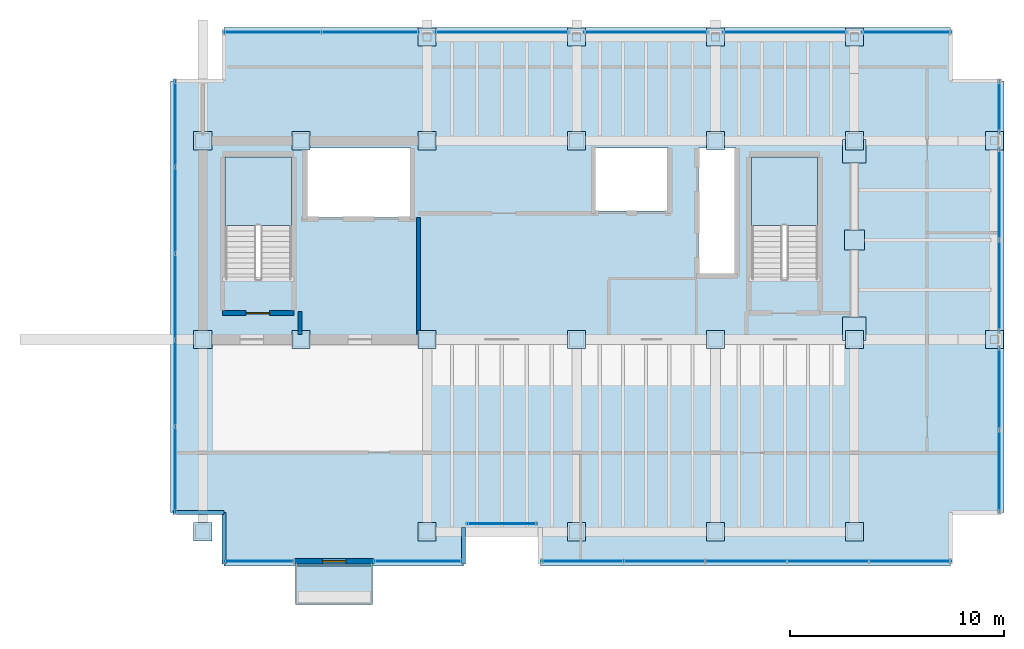
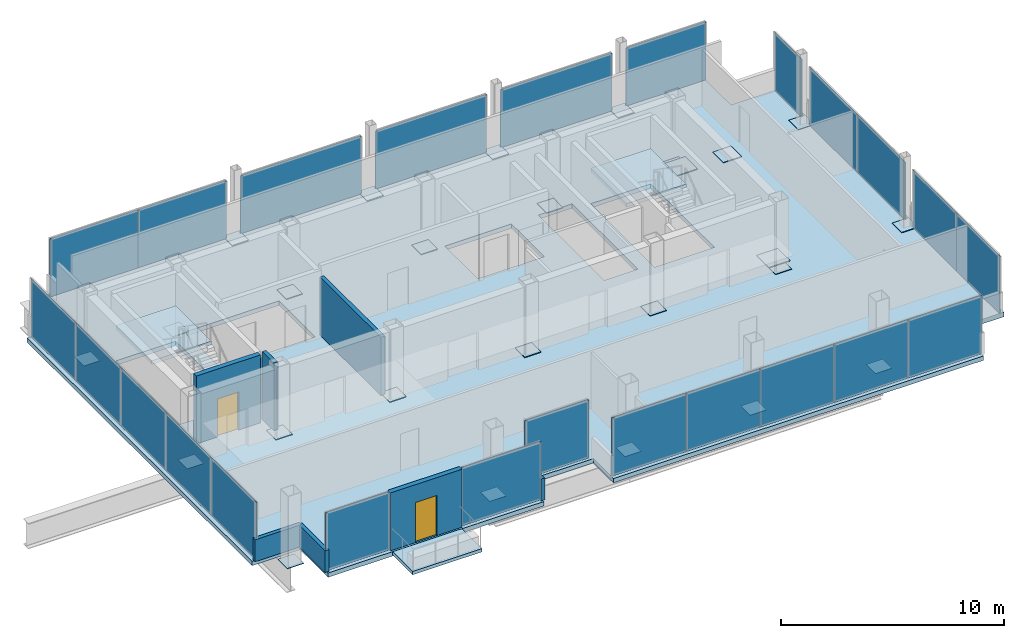
# One storey, part 14 of 17: 50 plates, 7 walls, 4 slabs, 2 doors, 7 openings, 15 elements without a shape of their own.
"""IFC4 building model written with IfcOpenShell, lengths in metres."""

import ifcopenshell
import ifcopenshell.guid

model = None  # the IFC model being written
_history = None  # IfcOwnerHistory: only IFC2X3 demands one
_inside = {}  # id of a spatial element -> (the spatial element, [elements in it])
_under = {}  # id of a project, library or spatial element -> (it, [spatial elements below it])
_declared = {}  # id of a project -> (the project, [libraries it declares])
_typed = {}  # id of a type object -> (the type object, [elements of that type])
_made_of = {}  # id of a material, layer set ... -> (it, [elements and type objects made of it])


def new_model(schema):
    """Start an empty IFC model of exactly this schema.

    Asked for "IFC4X3", IfcOpenShell would pick the latest addendum, in which some entities
    have other attributes; the version numbers below select the first issue.
    IFC2X3 requires an IfcOwnerHistory on every rooted entity: one is made here for all.
    """
    global model, _history
    if schema == "IFC4X3":
        model = ifcopenshell.file(schema_version=(4, 3, 0, 0))
    else:
        model = ifcopenshell.file(schema=schema)
    _inside.clear()
    _under.clear()
    _declared.clear()
    _typed.clear()
    _made_of.clear()
    _history = None
    if model.schema == "IFC2X3":
        org = make("IfcOrganization", Name="unknown")
        user = make(
            "IfcPersonAndOrganization",
            ThePerson=make("IfcPerson", FamilyName="unknown"),
            TheOrganization=org,
        )
        app = make(
            "IfcApplication",
            ApplicationDeveloper=org,
            Version="unknown",
            ApplicationFullName="unknown",
            ApplicationIdentifier="unknown",
        )
        _history = make(
            "IfcOwnerHistory",
            OwningUser=user,
            OwningApplication=app,
            ChangeAction="ADDED",
            CreationDate=0,
        )
    return model


def make(cls, **values):
    """One entity of the class cls with the attributes given. An attribute that is None is left unset."""
    return model.create_entity(
        cls, **{name: value for name, value in values.items() if value is not None}
    )


def rooted(cls, **values):
    """An entity with a GlobalId (a new one), such as an element, a storey or a relation."""
    return make(cls, GlobalId=ifcopenshell.guid.new(), OwnerHistory=_history, **values)


def si_unit(unit_type, name, prefix=None):
    """IfcSIUnit, for example si_unit("LENGTHUNIT", "METRE", prefix="MILLI")."""
    return make("IfcSIUnit", UnitType=unit_type, Prefix=prefix, Name=name)


def assignment(units):
    """IfcUnitAssignment: the units of a project."""
    return None if units is None else make("IfcUnitAssignment", Units=units)


def point(xyz):
    """IfcCartesianPoint."""
    return None if xyz is None else make("IfcCartesianPoint", Coordinates=xyz)


def direction(xyz):
    """IfcDirection."""
    return None if xyz is None else make("IfcDirection", DirectionRatios=xyz)


def frame(location, z_axis=None, x_axis=None):
    """IfcAxis2Placement3D, a coordinate frame: its origin and axes. An axis left out is left unset."""
    return make(
        "IfcAxis2Placement3D",
        Location=point(location),
        Axis=direction(z_axis),
        RefDirection=direction(x_axis),
    )


def frame_2d(location, x_axis=None):
    """IfcAxis2Placement2D, a coordinate frame in the plane: its origin and x axis."""
    return make(
        "IfcAxis2Placement2D", Location=point(location), RefDirection=direction(x_axis)
    )


def origin():
    """The frame at (0, 0, 0) with its axes left unset."""
    return frame((0.0, 0.0, 0.0))


def origin_2d():
    """The frame at (0, 0) in the plane with its x axis left unset."""
    return frame_2d((0.0, 0.0))


def place(relative_to, where):
    """IfcLocalPlacement: puts the frame where relative to a parent placement (None: the world)."""
    return make(
        "IfcLocalPlacement", PlacementRelTo=relative_to, RelativePlacement=where
    )


def context(
    kind, dimensions, precision=None, world=None, true_north=None, identifier=None
):
    """IfcGeometricRepresentationContext, for example the 3D "Model" context."""
    return make(
        "IfcGeometricRepresentationContext",
        ContextIdentifier=identifier,
        ContextType=kind,
        CoordinateSpaceDimension=dimensions,
        Precision=precision,
        WorldCoordinateSystem=world,
        TrueNorth=true_north,
    )


def subcontext(parent, identifier, kind, view, scale=None):
    """IfcGeometricRepresentationSubContext, for example "Body" below "Model"."""
    return make(
        "IfcGeometricRepresentationSubContext",
        ContextIdentifier=identifier,
        ContextType=kind,
        ParentContext=parent,
        TargetScale=scale,
        TargetView=view,
    )


def project(units=None, contexts=None):
    """IfcProject with its units and contexts."""
    return rooted(
        "IfcProject",
        Name="project",
        RepresentationContexts=contexts,
        UnitsInContext=assignment(units),
    )


def spatial(cls, under=None, at=None, **own):
    """A site, building, storey or space (cls), placed at a placement, below another one or the project."""
    s = rooted(cls, ObjectPlacement=at, **own)
    if under is not None:
        _under.setdefault(under.id(), (under, []))[1].append(s)
    return s


def polyline(points):
    """IfcPolyline through the points."""
    return make("IfcPolyline", Points=[point(p) for p in points])


def profile(cls, at=None, kind="AREA", **sizes):
    """A parametric profile (cls). Its sizes go by their IFC names, for example OverallWidth=200.0."""
    return make(cls, ProfileType=kind, Position=at, **sizes)


def rectangle(**sizes):
    """IfcRectangleProfileDef."""
    return profile("IfcRectangleProfileDef", **sizes)


def outline(outer, holes=None, kind="AREA"):
    """IfcArbitraryClosedProfileDef: a profile drawn as a closed curve; with holes, ...WithVoids."""
    if holes is None:
        return make("IfcArbitraryClosedProfileDef", ProfileType=kind, OuterCurve=outer)
    return make(
        "IfcArbitraryProfileDefWithVoids",
        ProfileType=kind,
        OuterCurve=outer,
        InnerCurves=holes,
    )


def extrude(swept, where, along, depth):
    """IfcExtrudedAreaSolid: the profile swept, set in the frame where, extruded along a direction by depth."""
    return make(
        "IfcExtrudedAreaSolid",
        SweptArea=swept,
        Position=where,
        ExtrudedDirection=direction(along),
        Depth=depth,
    )


def shape(context_of_items, identifier, shape_type, items):
    """IfcShapeRepresentation: the items that make up one representation, for example the "Body"."""
    return make(
        "IfcShapeRepresentation",
        ContextOfItems=context_of_items,
        RepresentationIdentifier=identifier,
        RepresentationType=shape_type,
        Items=items,
    )


def material(Name=None, Category=None):
    """IfcMaterial."""
    return make("IfcMaterial", Name=Name, Category=Category)


def layer(
    of_material, thickness, ventilated=None, Name=None, Category=None, Priority=None
):
    """IfcMaterialLayer: one layer of a wall or slab, of a material (None: an air gap)."""
    return make(
        "IfcMaterialLayer",
        Material=of_material,
        LayerThickness=thickness,
        IsVentilated=ventilated,
        Name=Name,
        Category=Category,
        Priority=Priority,
    )


def layer_set(layers, Name=None):
    """IfcMaterialLayerSet."""
    return make("IfcMaterialLayerSet", MaterialLayers=layers, LayerSetName=Name)


def made_of(thing, what):
    """Note that an element or type object is made of a material, layer set ...; save() writes the relation."""
    if what is not None:
        _made_of.setdefault(what.id(), (what, []))[1].append(thing)
    return thing


def type_object(cls, material=None, **own):
    """A type object (cls), such as IfcWallType, which elements share."""
    return made_of(rooted(cls, **own), material)


def element(
    cls,
    number,
    at=None,
    inside=None,
    cuts=None,
    type_object=None,
    material=None,
    context=None,
    identifier="Body",
    shape_type=None,
    held_by="IfcProductDefinitionShape",
    body=None,
    shapes=None,
    **own,
):
    """One element of the class cls, such as IfcWall. Its Tag is "e" and its number.

    at: its placement. inside: the storey or other place that contains it. cuts: it is an
    opening in that element (IfcRelVoidsElement). A single representation is given by context,
    identifier, shape_type and body (its items); several are given by shapes. held_by: the class
    of the entity that holds the representations. save() writes the other relations.
    """
    e = rooted(cls, Tag="e%d" % number, ObjectPlacement=at, **own)
    if body is not None:
        shapes = [shape(context, identifier, shape_type, body)]
    if shapes is not None:
        e.Representation = make(held_by, Representations=shapes)
    if inside is not None:
        _inside.setdefault(inside.id(), (inside, []))[1].append(e)
    if cuts is not None:
        rooted(
            "IfcRelVoidsElement", RelatingBuildingElement=cuts, RelatedOpeningElement=e
        )
    if type_object is not None:
        _typed.setdefault(type_object.id(), (type_object, []))[1].append(e)
    return made_of(e, material)


def fill(opening, filler):
    """IfcRelFillsElement: the door or window that sits in an opening."""
    return rooted(
        "IfcRelFillsElement",
        RelatingOpeningElement=opening,
        RelatedBuildingElement=filler,
    )


def aggregate(whole, parts):
    """IfcRelAggregates: a whole, such as a stair, and the parts it consists of."""
    return rooted("IfcRelAggregates", RelatingObject=whole, RelatedObjects=parts)


def save(model, path):
    """Write the relations noted so far, then the file.

    IfcRelAggregates (storeys below a building ...), IfcRelContainedInSpatialStructure (elements
    in a storey), IfcRelDefinesByType, IfcRelAssociatesMaterial and IfcRelDeclares: one each for
    every whole, place, type object, material and project.
    """
    for whole, parts in _under.values():
        aggregate(whole, parts)
    for where, things in _inside.values():
        rooted(
            "IfcRelContainedInSpatialStructure",
            RelatedElements=things,
            RelatingStructure=where,
        )
    for kind, things in _typed.values():
        rooted("IfcRelDefinesByType", RelatedObjects=things, RelatingType=kind)
    for what, things in _made_of.values():
        rooted("IfcRelAssociatesMaterial", RelatedObjects=things, RelatingMaterial=what)
    for by, libraries in _declared.values():
        rooted("IfcRelDeclares", RelatingContext=by, RelatedDefinitions=libraries)
    model.write(path)


model = new_model("IFC4")

# Units and contexts
model_context = context("Model", 3, precision=1e-05, world=origin(), true_north=direction((0.0, 1.0)))
body_context = subcontext(model_context, "Body", "Model", "MODEL_VIEW")
ifc_project = project(units=[si_unit("LENGTHUNIT", "METRE"), si_unit("AREAUNIT", "SQUARE_METRE"), si_unit("VOLUMEUNIT", "CUBIC_METRE"), si_unit("PLANEANGLEUNIT", "RADIAN"), si_unit("MASSUNIT", "GRAM", prefix="KILO")], contexts=[model_context])

# Site, building, storey
site_placement = place(None, origin())
site = spatial("IfcSite", under=ifc_project, at=site_placement, CompositionType="ELEMENT")
building_placement = place(site_placement, origin())
building = spatial("IfcBuilding", under=site, at=building_placement, Name="Noeulbin Bourse Tower", CompositionType="ELEMENT")
storey_placement = place(building_placement, frame((0.0, 0.0, 281.300048828125)))
storey = spatial("IfcBuildingStorey", under=building, at=storey_placement, Name="L70", CompositionType="ELEMENT", Elevation=281.300048828125)

# Curtain wall, plate
ifc_material_1 = material(Name="High-Selectivity Low-Iron Glazing", Category="glass")
curtain_wall_type = type_object("IfcCurtainWallType", Name="CW-SYS-4", PredefinedType="NOTDEFINED", material=ifc_material_1)
curtain_wall_1_placement = place(storey_placement, origin())
curtain_wall_1 = element("IfcCurtainWall", 1, at=curtain_wall_1_placement, inside=storey, type_object=curtain_wall_type, Name="Unitised Curtain Wall CW-L70-SREC", PredefinedType="NOTDEFINED")
ifc_layer_1 = layer(ifc_material_1, 0.035888671875)
ifc_layer_set_1 = layer_set([ifc_layer_1], Name="High-Selectivity Low-Iron Glazing")
plate_type_1 = type_object("IfcPlateType", Name="CW-SYS-4-PNL", PredefinedType="CURTAIN_PANEL", material=ifc_layer_set_1)
plate_1_placement = place(storey_placement, frame((27.5, 20.3798828125, 0.0), z_axis=(0.0, 0.0, 1.0), x_axis=(1.0, 0.0, 0.0)))
plate_1 = element("IfcPlate", 2, at=plate_1_placement, type_object=plate_type_1, Name="Glazed Curtain Panel CW-L70-SREC-P00", PredefinedType="CURTAIN_PANEL", context=body_context, shape_type="SweptSolid", body=[
    extrude(rectangle(XDim=3.300048828125, YDim=0.035888671875, at=origin_2d()), origin(), (0.0, 0.0, 1.0), 3.179931640625),
])
aggregate(curtain_wall_1, [plate_1])

curtain_wall_2_placement = place(storey_placement, origin())
curtain_wall_2 = element("IfcCurtainWall", 3, at=curtain_wall_2_placement, inside=storey, type_object=curtain_wall_type, Name="Unitised Curtain Wall CW-L70-S1", PredefinedType="NOTDEFINED")
plate_2_placement = place(storey_placement, frame((16.139892578125, 18.6201171875, 0.0), z_axis=(0.0, 0.0, 1.0), x_axis=(1.0, 0.0, 0.0)))
plate_2 = element("IfcPlate", 4, at=plate_2_placement, type_object=plate_type_1, Name="Glazed Curtain Panel CW-L70-S1-P00", PredefinedType="CURTAIN_PANEL", context=body_context, shape_type="SweptSolid", body=[
    extrude(rectangle(XDim=3.320068359375, YDim=0.035888671875, at=origin_2d()), origin(), (0.0, 0.0, 1.0), 3.179931640625),
])
aggregate(curtain_wall_2, [plate_2])

curtain_wall_3_placement = place(storey_placement, origin())
curtain_wall_3 = element("IfcCurtainWall", 5, at=curtain_wall_3_placement, inside=storey, type_object=curtain_wall_type, Name="Unitised Curtain Wall CW-L70-S2", PredefinedType="NOTDEFINED")
plate_3_placement = place(storey_placement, frame((23.574951171875, 18.6201171875, 0.0), z_axis=(0.0, 0.0, 1.0), x_axis=(1.0, 0.0, 0.0)))
plate_3 = element("IfcPlate", 6, at=plate_3_placement, type_object=plate_type_1, Name="Glazed Curtain Panel CW-L70-S2-P00", PredefinedType="CURTAIN_PANEL", context=body_context, shape_type="SweptSolid", body=[
    extrude(rectangle(XDim=4.14990234375, YDim=0.035888671875, at=origin_2d()), origin(), (0.0, 0.0, 1.0), 3.179931640625),
])
aggregate(curtain_wall_3, [plate_3])

# Curtain wall, plates
curtain_wall_4_placement = place(storey_placement, origin())
curtain_wall_4 = element("IfcCurtainWall", 7, at=curtain_wall_4_placement, inside=storey, type_object=curtain_wall_type, Name="Unitised Curtain Wall CW-L70-S3", PredefinedType="NOTDEFINED")
plate_4_placement = place(storey_placement, frame((31.26708984375, 18.6201171875, 0.0), z_axis=(0.0, 0.0, 1.0), x_axis=(1.0, 0.0, 0.0)))
plate_4 = element("IfcPlate", 8, at=plate_4_placement, type_object=plate_type_1, Name="Glazed Curtain Panel CW-L70-S3-P00", PredefinedType="CURTAIN_PANEL", context=body_context, shape_type="SweptSolid", body=[
    extrude(rectangle(XDim=3.833984375, YDim=0.035888671875, at=origin_2d()), origin(), (0.0, 0.0, 1.0), 3.179931640625),
])
plate_5_placement = place(storey_placement, frame((35.10107421875, 18.6201171875, 0.0), z_axis=(0.0, 0.0, 1.0), x_axis=(1.0, 0.0, 0.0)))
plate_5 = element("IfcPlate", 9, at=plate_5_placement, type_object=plate_type_1, Name="Glazed Curtain Panel CW-L70-S3-P01", PredefinedType="CURTAIN_PANEL", context=body_context, shape_type="SweptSolid", body=[
    extrude(rectangle(XDim=3.833984375, YDim=0.035888671875, at=origin_2d()), origin(), (0.0, 0.0, 1.0), 3.179931640625),
])
plate_6_placement = place(storey_placement, frame((38.93505859375, 18.6201171875, 0.0), z_axis=(0.0, 0.0, 1.0), x_axis=(1.0, 0.0, 0.0)))
plate_6 = element("IfcPlate", 10, at=plate_6_placement, type_object=plate_type_1, Name="Glazed Curtain Panel CW-L70-S3-P02", PredefinedType="CURTAIN_PANEL", context=body_context, shape_type="SweptSolid", body=[
    extrude(rectangle(XDim=3.833984375, YDim=0.035888671875, at=origin_2d()), origin(), (0.0, 0.0, 1.0), 3.179931640625),
])
plate_7_placement = place(storey_placement, frame((42.76904296875, 18.6201171875, 0.0), z_axis=(0.0, 0.0, 1.0), x_axis=(1.0, 0.0, 0.0)))
plate_7 = element("IfcPlate", 11, at=plate_7_placement, type_object=plate_type_1, Name="Glazed Curtain Panel CW-L70-S3-P03", PredefinedType="CURTAIN_PANEL", context=body_context, shape_type="SweptSolid", body=[
    extrude(rectangle(XDim=3.833984375, YDim=0.035888671875, at=origin_2d()), origin(), (0.0, 0.0, 1.0), 3.179931640625),
])
plate_8_placement = place(storey_placement, frame((46.60302734375, 18.6201171875, 0.0), z_axis=(0.0, 0.0, 1.0), x_axis=(1.0, 0.0, 0.0)))
plate_8 = element("IfcPlate", 12, at=plate_8_placement, type_object=plate_type_1, Name="Glazed Curtain Panel CW-L70-S3-P04", PredefinedType="CURTAIN_PANEL", context=body_context, shape_type="SweptSolid", body=[
    extrude(rectangle(XDim=3.833984375, YDim=0.035888671875, at=origin_2d()), origin(), (0.0, 0.0, 1.0), 3.179931640625),
])
aggregate(curtain_wall_4, [plate_4, plate_5, plate_6, plate_7, plate_8])

curtain_wall_5_placement = place(storey_placement, origin())
curtain_wall_5 = element("IfcCurtainWall", 13, at=curtain_wall_5_placement, inside=storey, type_object=curtain_wall_type, Name="Unitised Curtain Wall CW-L70-N-S1", PredefinedType="NOTDEFINED")
plate_9_placement = place(storey_placement, frame((16.77001953125, 43.3798828125, 0.0), z_axis=(0.0, 0.0, 1.0), x_axis=(1.0, 0.0, 0.0)))
plate_9 = element("IfcPlate", 14, at=plate_9_placement, type_object=plate_type_1, Name="Glazed Curtain Panel CW-L70-N-S1-P00", PredefinedType="CURTAIN_PANEL", context=body_context, shape_type="SweptSolid", body=[
    extrude(rectangle(XDim=4.580078125, YDim=0.035888671875, at=origin_2d()), origin(), (0.0, 0.0, 1.0), 3.179931640625),
])
plate_10_placement = place(storey_placement, frame((21.35009765625, 43.3798828125, 0.0), z_axis=(0.0, 0.0, 1.0), x_axis=(1.0, 0.0, 0.0)))
plate_10 = element("IfcPlate", 15, at=plate_10_placement, type_object=plate_type_1, Name="Glazed Curtain Panel CW-L70-N-S1-P01", PredefinedType="CURTAIN_PANEL", context=body_context, shape_type="SweptSolid", body=[
    extrude(rectangle(XDim=4.580078125, YDim=0.035888671875, at=origin_2d()), origin(), (0.0, 0.0, 1.0), 3.179931640625),
])
aggregate(curtain_wall_5, [plate_9, plate_10])

# Curtain wall, plate
curtain_wall_6_placement = place(storey_placement, origin())
curtain_wall_6 = element("IfcCurtainWall", 16, at=curtain_wall_6_placement, inside=storey, type_object=curtain_wall_type, Name="Unitised Curtain Wall CW-L70-N-S2", PredefinedType="NOTDEFINED")
plate_11_placement = place(storey_placement, frame((27.5, 43.3798828125, 0.0), z_axis=(0.0, 0.0, 1.0), x_axis=(1.0, 0.0, 0.0)))
plate_11 = element("IfcPlate", 17, at=plate_11_placement, type_object=plate_type_1, Name="Glazed Curtain Panel CW-L70-N-S2-P00", PredefinedType="CURTAIN_PANEL", context=body_context, shape_type="SweptSolid", body=[
    extrude(rectangle(XDim=6.280029296875, YDim=0.035888671875, at=origin_2d()), origin(), (0.0, 0.0, 1.0), 3.179931640625),
])
aggregate(curtain_wall_6, [plate_11])

curtain_wall_7_placement = place(storey_placement, origin())
curtain_wall_7 = element("IfcCurtainWall", 18, at=curtain_wall_7_placement, inside=storey, type_object=curtain_wall_type, Name="Unitised Curtain Wall CW-L70-N-S3", PredefinedType="NOTDEFINED")
plate_12_placement = place(storey_placement, frame((34.25, 43.3798828125, 0.0), z_axis=(0.0, 0.0, 1.0), x_axis=(1.0, 0.0, 0.0)))
plate_12 = element("IfcPlate", 19, at=plate_12_placement, type_object=plate_type_1, Name="Glazed Curtain Panel CW-L70-N-S3-P00", PredefinedType="CURTAIN_PANEL", context=body_context, shape_type="SweptSolid", body=[
    extrude(rectangle(XDim=5.780029296875, YDim=0.035888671875, at=origin_2d()), origin(), (0.0, 0.0, 1.0), 3.179931640625),
])
aggregate(curtain_wall_7, [plate_12])

curtain_wall_8_placement = place(storey_placement, origin())
curtain_wall_8 = element("IfcCurtainWall", 20, at=curtain_wall_8_placement, inside=storey, type_object=curtain_wall_type, Name="Unitised Curtain Wall CW-L70-N-S4", PredefinedType="NOTDEFINED")
plate_13_placement = place(storey_placement, frame((40.75, 43.3798828125, 0.0), z_axis=(0.0, 0.0, 1.0), x_axis=(1.0, 0.0, 0.0)))
plate_13 = element("IfcPlate", 21, at=plate_13_placement, type_object=plate_type_1, Name="Glazed Curtain Panel CW-L70-N-S4-P00", PredefinedType="CURTAIN_PANEL", context=body_context, shape_type="SweptSolid", body=[
    extrude(rectangle(XDim=5.780029296875, YDim=0.035888671875, at=origin_2d()), origin(), (0.0, 0.0, 1.0), 3.179931640625),
])
aggregate(curtain_wall_8, [plate_13])

curtain_wall_9_placement = place(storey_placement, origin())
curtain_wall_9 = element("IfcCurtainWall", 22, at=curtain_wall_9_placement, inside=storey, type_object=curtain_wall_type, Name="Unitised Curtain Wall CW-L70-N-S5", PredefinedType="NOTDEFINED")
plate_14_placement = place(storey_placement, frame((46.43994140625, 43.3798828125, 0.0), z_axis=(0.0, 0.0, 1.0), x_axis=(1.0, 0.0, 0.0)))
plate_14 = element("IfcPlate", 23, at=plate_14_placement, type_object=plate_type_1, Name="Glazed Curtain Panel CW-L70-N-S5-P00", PredefinedType="CURTAIN_PANEL", context=body_context, shape_type="SweptSolid", body=[
    extrude(rectangle(XDim=4.159912109375, YDim=0.035888671875, at=origin_2d()), origin(), (0.0, 0.0, 1.0), 3.179931640625),
])
aggregate(curtain_wall_9, [plate_14])

# Curtain wall, plates
curtain_wall_10_placement = place(storey_placement, origin())
curtain_wall_10 = element("IfcCurtainWall", 24, at=curtain_wall_10_placement, inside=storey, type_object=curtain_wall_type, Name="Unitised Curtain Wall CW-L70-W", PredefinedType="NOTDEFINED")
plate_15_placement = place(storey_placement, frame((12.219970703125, 22.904052734375, 0.0), z_axis=(0.0, 0.0, 1.0), x_axis=(0.0, 1.0, 0.0)))
plate_15 = element("IfcPlate", 25, at=plate_15_placement, type_object=plate_type_1, Name="Glazed Curtain Panel CW-L70-W-P00", PredefinedType="CURTAIN_PANEL", context=body_context, shape_type="SweptSolid", body=[
    extrude(rectangle(XDim=4.048095703125, YDim=0.035888671875, at=origin_2d()), origin(), (0.0, 0.0, 1.0), 3.179931640625),
])
plate_16_placement = place(storey_placement, frame((12.219970703125, 26.951904296875, 0.0), z_axis=(0.0, 0.0, 1.0), x_axis=(0.0, 1.0, 0.0)))
plate_16 = element("IfcPlate", 26, at=plate_16_placement, type_object=plate_type_1, Name="Glazed Curtain Panel CW-L70-W-P01", PredefinedType="CURTAIN_PANEL", context=body_context, shape_type="SweptSolid", body=[
    extrude(rectangle(XDim=4.048095703125, YDim=0.035888671875, at=origin_2d()), origin(), (0.0, 0.0, 1.0), 3.179931640625),
])
plate_17_placement = place(storey_placement, frame((12.219970703125, 31.0, 0.0), z_axis=(0.0, 0.0, 1.0), x_axis=(0.0, 1.0, 0.0)))
plate_17 = element("IfcPlate", 27, at=plate_17_placement, type_object=plate_type_1, Name="Glazed Curtain Panel CW-L70-W-P02", PredefinedType="CURTAIN_PANEL", context=body_context, shape_type="SweptSolid", body=[
    extrude(rectangle(XDim=4.048095703125, YDim=0.035888671875, at=origin_2d()), origin(), (0.0, 0.0, 1.0), 3.179931640625),
])
plate_18_placement = place(storey_placement, frame((12.219970703125, 35.048095703125, 0.0), z_axis=(0.0, 0.0, 1.0), x_axis=(0.0, 1.0, 0.0)))
plate_18 = element("IfcPlate", 28, at=plate_18_placement, type_object=plate_type_1, Name="Glazed Curtain Panel CW-L70-W-P03", PredefinedType="CURTAIN_PANEL", context=body_context, shape_type="SweptSolid", body=[
    extrude(rectangle(XDim=4.048095703125, YDim=0.035888671875, at=origin_2d()), origin(), (0.0, 0.0, 1.0), 3.179931640625),
])
plate_19_placement = place(storey_placement, frame((12.219970703125, 39.095947265625, 0.0), z_axis=(0.0, 0.0, 1.0), x_axis=(0.0, 1.0, 0.0)))
plate_19 = element("IfcPlate", 29, at=plate_19_placement, type_object=plate_type_1, Name="Glazed Curtain Panel CW-L70-W-P04", PredefinedType="CURTAIN_PANEL", context=body_context, shape_type="SweptSolid", body=[
    extrude(rectangle(XDim=4.048095703125, YDim=0.035888671875, at=origin_2d()), origin(), (0.0, 0.0, 1.0), 3.179931640625),
])
aggregate(curtain_wall_10, [plate_15, plate_16, plate_17, plate_18, plate_19])

curtain_wall_11_placement = place(storey_placement, origin())
curtain_wall_11 = element("IfcCurtainWall", 30, at=curtain_wall_11_placement, inside=storey, type_object=curtain_wall_type, Name="Unitised Curtain Wall CW-L70-E-S1", PredefinedType="NOTDEFINED")
plate_20_placement = place(storey_placement, frame((50.780029296875, 22.820068359375, 0.0), z_axis=(0.0, 0.0, 1.0), x_axis=(0.0, 1.0, 0.0)))
plate_20 = element("IfcPlate", 31, at=plate_20_placement, type_object=plate_type_1, Name="Glazed Curtain Panel CW-L70-E-S1-P00", PredefinedType="CURTAIN_PANEL", context=body_context, shape_type="SweptSolid", body=[
    extrude(rectangle(XDim=3.8798828125, YDim=0.035888671875, at=origin_2d()), origin(), (0.0, 0.0, 1.0), 3.179931640625),
])
plate_21_placement = place(storey_placement, frame((50.780029296875, 26.699951171875, 0.0), z_axis=(0.0, 0.0, 1.0), x_axis=(0.0, 1.0, 0.0)))
plate_21 = element("IfcPlate", 32, at=plate_21_placement, type_object=plate_type_1, Name="Glazed Curtain Panel CW-L70-E-S1-P01", PredefinedType="CURTAIN_PANEL", context=body_context, shape_type="SweptSolid", body=[
    extrude(rectangle(XDim=3.8798828125, YDim=0.035888671875, at=origin_2d()), origin(), (0.0, 0.0, 1.0), 3.179931640625),
])
aggregate(curtain_wall_11, [plate_20, plate_21])

curtain_wall_12_placement = place(storey_placement, origin())
curtain_wall_12 = element("IfcCurtainWall", 33, at=curtain_wall_12_placement, inside=storey, type_object=curtain_wall_type, Name="Unitised Curtain Wall CW-L70-E-S2", PredefinedType="NOTDEFINED")
plate_22_placement = place(storey_placement, frame((50.780029296875, 31.5048828125, 0.0), z_axis=(0.0, 0.0, 1.0), x_axis=(0.0, 1.0, 0.0)))
plate_22 = element("IfcPlate", 34, at=plate_22_placement, type_object=plate_type_1, Name="Glazed Curtain Panel CW-L70-E-S2-P00", PredefinedType="CURTAIN_PANEL", context=body_context, shape_type="SweptSolid", body=[
    extrude(rectangle(XDim=4.2900390625, YDim=0.035888671875, at=origin_2d()), origin(), (0.0, 0.0, 1.0), 3.179931640625),
])
plate_23_placement = place(storey_placement, frame((50.780029296875, 35.794921875, 0.0), z_axis=(0.0, 0.0, 1.0), x_axis=(0.0, 1.0, 0.0)))
plate_23 = element("IfcPlate", 35, at=plate_23_placement, type_object=plate_type_1, Name="Glazed Curtain Panel CW-L70-E-S2-P01", PredefinedType="CURTAIN_PANEL", context=body_context, shape_type="SweptSolid", body=[
    extrude(rectangle(XDim=4.2900390625, YDim=0.035888671875, at=origin_2d()), origin(), (0.0, 0.0, 1.0), 3.179931640625),
])
aggregate(curtain_wall_12, [plate_22, plate_23])

# Curtain wall, plate
curtain_wall_13_placement = place(storey_placement, origin())
curtain_wall_13 = element("IfcCurtainWall", 36, at=curtain_wall_13_placement, inside=storey, type_object=curtain_wall_type, Name="Unitised Curtain Wall CW-L70-E-S3", PredefinedType="NOTDEFINED")
plate_24_placement = place(storey_placement, frame((50.780029296875, 39.889892578125, 0.0), z_axis=(0.0, 0.0, 1.0), x_axis=(0.0, 1.0, 0.0)))
plate_24 = element("IfcPlate", 37, at=plate_24_placement, type_object=plate_type_1, Name="Glazed Curtain Panel CW-L70-E-S3-P00", PredefinedType="CURTAIN_PANEL", context=body_context, shape_type="SweptSolid", body=[
    extrude(rectangle(XDim=2.4599609375, YDim=0.035888671875, at=origin_2d()), origin(), (0.0, 0.0, 1.0), 3.179931640625),
])
aggregate(curtain_wall_13, [plate_24])

# Plates
ifc_material_2 = material(Name="Steel S355", Category="steel")
ifc_layer_2 = layer(ifc_material_2, 0.030029296875)
ifc_layer_set_2 = layer_set([ifc_layer_2], Name="Steel S355")
plate_type_2 = type_object("IfcPlateType", Name="PLT-BN1", PredefinedType="USERDEFINED", material=ifc_layer_set_2)
for number, where, z_axis, x_axis, name in (
    (38, (13.5, 29.0, 0.0048828125), (0.0, 0.0, 1.0), (1.0, 0.0, 0.0), "Mega-Column Splice Plate BN1-L70-01"),
    (39, (13.5, 38.300048828125, 0.0048828125), (0.0, 0.0, 1.0), (1.0, 0.0, 0.0), "Mega-Column Splice Plate BN1-L70-02"),
    (40, (18.10009765625, 29.0, 0.0048828125), (0.0, 0.0, 1.0), (1.0, 0.0, 0.0), "Mega-Column Splice Plate BN1-L70-03"),
    (41, (18.10009765625, 38.300048828125, 0.0048828125), (0.0, 0.0, 1.0), (1.0, 0.0, 0.0), "Mega-Column Splice Plate BN1-L70-04"),
    (42, (24.0, 29.0, 0.0048828125), (0.0, 0.0, 1.0), (1.0, 0.0, 0.0), "Mega-Column Splice Plate BN1-L70-05"),
    (43, (24.0, 38.300048828125, 0.0048828125), (0.0, 0.0, 1.0), (1.0, 0.0, 0.0), "Mega-Column Splice Plate BN1-L70-06"),
    (44, (31.0, 29.0, 0.0048828125), (0.0, 0.0, 1.0), (1.0, 0.0, 0.0), "Mega-Column Splice Plate BN1-L70-07"),
    (45, (31.0, 38.300048828125, 0.0048828125), (0.0, 0.0, 1.0), (1.0, 0.0, 0.0), "Mega-Column Splice Plate BN1-L70-08"),
    (46, (37.5, 29.0, 0.0048828125), (0.0, 0.0, 1.0), (1.0, 0.0, 0.0), "Mega-Column Splice Plate BN1-L70-09"),
    (47, (37.5, 38.300048828125, 0.0048828125), (0.0, 0.0, 1.0), (1.0, 0.0, 0.0), "Mega-Column Splice Plate BN1-L70-10"),
    (48, (44.0, 29.0, 0.0048828125), (0.0, 0.0, 1.0), (1.0, 0.0, 0.0), "Mega-Column Splice Plate BN1-L70-11"),
    (49, (44.0, 38.300048828125, 0.0048828125), (0.0, 0.0, 1.0), (1.0, 0.0, 0.0), "Mega-Column Splice Plate BN1-L70-12"),
    (50, (13.5, 20.0, 0.0048828125), (0.0, 0.0, 1.0), (1.0, 0.0, 0.0), "Mega-Column Splice Plate BN1-L70-13"),
    (51, (24.0, 20.0, 0.0048828125), (0.0, 0.0, 1.0), (1.0, 0.0, 0.0), "Mega-Column Splice Plate BN1-L70-14"),
    (52, (31.0, 20.0, 0.0048828125), (0.0, 0.0, 1.0), (1.0, 0.0, 0.0), "Mega-Column Splice Plate BN1-L70-15"),
    (53, (37.5, 20.0, 0.0048828125), (0.0, 0.0, 1.0), (1.0, 0.0, 0.0), "Mega-Column Splice Plate BN1-L70-16"),
    (54, (44.0, 20.0, 0.0048828125), (0.0, 0.0, 1.0), (1.0, 0.0, 0.0), "Mega-Column Splice Plate BN1-L70-17"),
    (55, (24.0, 43.14990234375, 0.0048828125), (0.0, 0.0, 1.0), (1.0, 0.0, 0.0), "Perimeter Column Splice Plate BN1-L70-01"),
    (56, (31.0, 43.14990234375, 0.0048828125), (0.0, 0.0, 1.0), (1.0, 0.0, 0.0), "Perimeter Column Splice Plate BN1-L70-02"),
    (57, (37.5, 43.14990234375, 0.0048828125), (0.0, 0.0, 1.0), (1.0, 0.0, 0.0), "Perimeter Column Splice Plate BN1-L70-03"),
    (58, (44.0, 43.14990234375, 0.0048828125), (0.0, 0.0, 1.0), (1.0, 0.0, 0.0), "Perimeter Column Splice Plate BN1-L70-04"),
    (59, (50.550048828125, 29.0, 0.0048828125), (0.0, 0.0, 1.0), (1.0, 0.0, 0.0), "Perimeter Column Splice Plate BN1-L70-05"),
    (60, (50.550048828125, 38.300048828125, 0.0048828125), (0.0, 0.0, 1.0), (1.0, 0.0, 0.0), "Perimeter Column Splice Plate BN1-L70-06"),
):
    element("IfcPlate", number, at=place(storey_placement, frame(where, z_axis=z_axis, x_axis=x_axis)), inside=storey, type_object=plate_type_2, Name=name, ObjectType="SPLICE PLATE", PredefinedType="USERDEFINED", context=body_context, shape_type="SweptSolid", body=[
        extrude(rectangle(XDim=0.85009765625, YDim=0.85009765625, at=origin_2d()), origin(), (0.0, 0.0, 1.0), 0.030029296875),
    ])
ifc_material_3 = material(Name="Steel S460", Category="steel")
ifc_layer_3 = layer(ifc_material_3, 0.035888671875)
ifc_layer_set_3 = layer_set([ifc_layer_3], Name="Steel S460")
plate_type_3 = type_object("IfcPlateType", Name="PLT-KN2", PredefinedType="USERDEFINED", material=ifc_layer_set_3)
for number, where, z_axis, x_axis, name in (
    (61, (44.0, 29.5, 0.18212890625), (0.0, 0.0, 1.0), (1.0, 0.0, 0.0), "Core Flank Brace South Gusset Plate KN2-L70-EA"),
    (62, (44.0, 37.800048828125, 0.18212890625), (0.0, 0.0, 1.0), (1.0, 0.0, 0.0), "Core Flank Brace North Gusset Plate KN2-L70-EB"),
):
    element("IfcPlate", number, at=place(storey_placement, frame(where, z_axis=z_axis, x_axis=x_axis)), inside=storey, type_object=plate_type_3, Name=name, ObjectType="GUSSET PLATE", PredefinedType="USERDEFINED", context=body_context, shape_type="SweptSolid", body=[
        extrude(rectangle(XDim=1.10009765625, YDim=1.10009765625, at=origin_2d()), origin(), (0.0, 0.0, 1.0), 0.035888671875),
    ])
ifc_layer_4 = layer(ifc_material_2, 0.031982421875)
ifc_layer_set_4 = layer_set([ifc_layer_4], Name="Steel S355")
plate_type_4 = type_object("IfcPlateType", Name="PLT-KN3", PredefinedType="USERDEFINED", material=ifc_layer_set_4)
plate_25_placement = place(storey_placement, frame((44.0, 33.64990234375, 3.35400390625), z_axis=(0.0, 0.0, 1.0), x_axis=(1.0, 0.0, 0.0)))
element("IfcPlate", 63, at=plate_25_placement, inside=storey, type_object=plate_type_4, Name="Core Flank Brace Apex End Plate KN3-L70-E", ObjectType="END PLATE", PredefinedType="USERDEFINED", context=body_context, shape_type="SweptSolid", body=[
    extrude(rectangle(XDim=0.949951171875, YDim=0.949951171875, at=origin_2d()), origin(), (0.0, 0.0, 1.0), 0.031982421875),
])

# Stair, slab
ifc_material_4 = material(Name="Concrete C40/50", Category="concrete")
stair_type = type_object("IfcStairType", Name="STR-CORE-1560", PredefinedType="HALF_TURN_STAIR", material=ifc_material_4)
stair_1_placement = place(storey_placement, origin())
stair_1 = element("IfcStair", 64, at=stair_1_placement, inside=storey, type_object=stair_type, Name="L70 ST-1", PredefinedType="HALF_TURN_STAIR")
ifc_layer_5 = layer(ifc_material_4, 0.199951171875)
ifc_layer_set_5 = layer_set([ifc_layer_5], Name="Concrete C40/50")
slab_type_1 = type_object("IfcSlabType", Name="SLB-LND-200", PredefinedType="LANDING", material=ifc_layer_set_5)
slab_1_placement = place(storey_placement, frame((0.0, 0.0, 1.75)))
slab_1 = element("IfcSlab", 65, at=slab_1_placement, type_object=slab_type_1, Name="ST-1 landing 1", PredefinedType="LANDING", context=body_context, shape_type="SweptSolid", body=[
    extrude(outline(polyline([(17.64990234375, 34.330078125), (17.64990234375, 37.5439453125), (14.550048828125, 37.5439453125), (14.550048828125, 34.330078125), (17.64990234375, 34.330078125)])), origin(), (0.0, 0.0, 1.0), 0.199951171875),
])
aggregate(stair_1, [slab_1])

stair_2_placement = place(storey_placement, origin())
stair_2 = element("IfcStair", 66, at=stair_2_placement, inside=storey, type_object=stair_type, Name="L70 ST-2", PredefinedType="HALF_TURN_STAIR")
slab_2_placement = place(storey_placement, frame((0.0, 0.0, 1.75)))
slab_2 = element("IfcSlab", 67, at=slab_2_placement, type_object=slab_type_1, Name="ST-2 landing 1", PredefinedType="LANDING", context=body_context, shape_type="SweptSolid", body=[
    extrude(outline(polyline([(42.280029296875, 34.330078125), (42.280029296875, 37.5439453125), (39.179931640625, 37.5439453125), (39.179931640625, 34.330078125), (42.280029296875, 34.330078125)])), origin(), (0.0, 0.0, 1.0), 0.199951171875),
])
aggregate(stair_2, [slab_2])

# Slab, openings
ifc_layer_6 = layer(ifc_material_4, 0.239990234375)
ifc_layer_set_6 = layer_set([ifc_layer_6], Name="Concrete C40/50")
slab_type_2 = type_object("IfcSlabType", Name="SLB-TRF-240", PredefinedType="FLOOR", material=ifc_layer_set_6)
slab_3_placement = place(storey_placement, frame((0.0, 0.0, -0.239990234375)))
slab_3 = element("IfcSlab", 68, at=slab_3_placement, inside=storey, type_object=slab_type_2, Name="Tower Structural Floor Slab L70", PredefinedType="FLOOR", context=body_context, shape_type="SweptSolid", body=[
    extrude(outline(polyline([(14.5, 18.39990234375), (25.699951171875, 18.39990234375), (25.699951171875, 20.199951171875), (29.300048828125, 20.199951171875), (29.300048828125, 18.39990234375), (48.5, 18.39990234375), (48.5, 20.89990234375), (51.0, 20.89990234375), (51.0, 41.10009765625), (48.5, 41.10009765625), (48.5, 43.60009765625), (14.5, 43.60009765625), (14.5, 41.10009765625), (12.0, 41.10009765625), (12.0, 20.89990234375), (14.5, 20.89990234375), (14.5, 18.39990234375)]), holes=[polyline([(17.64990234375, 31.81005859375), (17.64990234375, 37.5439453125), (14.550048828125, 37.5439453125), (14.550048828125, 31.81005859375), (17.64990234375, 31.81005859375)]), polyline([(42.280029296875, 31.81005859375), (42.280029296875, 37.5439453125), (39.179931640625, 37.5439453125), (39.179931640625, 31.81005859375), (42.280029296875, 31.81005859375)]), polyline([(18.35009765625, 34.699951171875), (23.25, 34.699951171875), (23.25, 37.949951171875), (18.35009765625, 37.949951171875), (18.35009765625, 34.699951171875)]), polyline([(36.699951171875, 32.050048828125), (38.449951171875, 32.050048828125), (38.449951171875, 37.949951171875), (36.699951171875, 37.949951171875), (36.699951171875, 32.050048828125)]), polyline([(31.85009765625, 35.0), (35.300048828125, 35.0), (35.300048828125, 37.949951171875), (31.85009765625, 37.949951171875), (31.85009765625, 35.0)])]), origin(), (0.0, 0.0, 1.0), 0.239990234375),
])
opening_1_placement = place(slab_3_placement, frame((0.0, 0.0, -0.010009765625)))
element("IfcOpeningElement", 69, at=opening_1_placement, cuts=slab_3, Name="Slab Shaft Opening SLB-L70-TWR-1", PredefinedType="OPENING", context=body_context, shape_type="SweptSolid", body=[
    extrude(outline(polyline([(17.64990234375, 31.81005859375), (17.64990234375, 37.5439453125), (14.550048828125, 37.5439453125), (14.550048828125, 31.81005859375), (17.64990234375, 31.81005859375)])), origin(), (0.0, 0.0, 1.0), 0.260009765625),
])
opening_2_placement = place(slab_3_placement, frame((0.0, 0.0, -0.010009765625)))
element("IfcOpeningElement", 70, at=opening_2_placement, cuts=slab_3, Name="Slab Shaft Opening SLB-L70-TWR-2", PredefinedType="OPENING", context=body_context, shape_type="SweptSolid", body=[
    extrude(outline(polyline([(42.280029296875, 31.81005859375), (42.280029296875, 37.5439453125), (39.179931640625, 37.5439453125), (39.179931640625, 31.81005859375), (42.280029296875, 31.81005859375)])), origin(), (0.0, 0.0, 1.0), 0.260009765625),
])
opening_3_placement = place(slab_3_placement, frame((0.0, 0.0, -0.010009765625)))
element("IfcOpeningElement", 71, at=opening_3_placement, cuts=slab_3, Name="Slab Shaft Opening SLB-L70-TWR-3", PredefinedType="OPENING", context=body_context, shape_type="SweptSolid", body=[
    extrude(outline(polyline([(18.35009765625, 34.699951171875), (23.25, 34.699951171875), (23.25, 37.949951171875), (18.35009765625, 37.949951171875), (18.35009765625, 34.699951171875)])), origin(), (0.0, 0.0, 1.0), 0.260009765625),
])
opening_4_placement = place(slab_3_placement, frame((0.0, 0.0, -0.010009765625)))
element("IfcOpeningElement", 72, at=opening_4_placement, cuts=slab_3, Name="Slab Shaft Opening SLB-L70-TWR-4", PredefinedType="OPENING", context=body_context, shape_type="SweptSolid", body=[
    extrude(outline(polyline([(36.699951171875, 32.050048828125), (38.449951171875, 32.050048828125), (38.449951171875, 37.949951171875), (36.699951171875, 37.949951171875), (36.699951171875, 32.050048828125)])), origin(), (0.0, 0.0, 1.0), 0.260009765625),
])
opening_5_placement = place(slab_3_placement, frame((0.0, 0.0, -0.010009765625)))
element("IfcOpeningElement", 73, at=opening_5_placement, cuts=slab_3, Name="Slab Shaft Opening SLB-L70-TWR-5", PredefinedType="OPENING", context=body_context, shape_type="SweptSolid", body=[
    extrude(outline(polyline([(31.85009765625, 35.0), (35.300048828125, 35.0), (35.300048828125, 37.949951171875), (31.85009765625, 37.949951171875), (31.85009765625, 35.0)])), origin(), (0.0, 0.0, 1.0), 0.260009765625),
])

# Slab
ifc_layer_7 = layer(ifc_material_4, 0.179931640625)
ifc_layer_set_7 = layer_set([ifc_layer_7], Name="Concrete C40/50")
slab_type_3 = type_object("IfcSlabType", Name="SLB-TYP-180", PredefinedType="FLOOR", material=ifc_layer_set_7)
slab_4_placement = place(storey_placement, frame((0.0, 0.0, -0.179931640625)))
element("IfcSlab", 74, at=slab_4_placement, inside=storey, type_object=slab_type_3, Name="Cantilevered Tree-Balcony Slab L70", PredefinedType="FLOOR", context=body_context, shape_type="SweptSolid", body=[
    extrude(outline(polyline([(17.85009765625, 16.60009765625), (21.449951171875, 16.60009765625), (21.449951171875, 18.39990234375), (17.85009765625, 18.39990234375), (17.85009765625, 16.60009765625)])), origin(), (0.0, 0.0, 1.0), 0.179931640625),
])

# Wall, opening, door
ifc_material_5 = material(Name="Precast Concrete C40/50", Category="concrete")
ifc_layer_8 = layer(ifc_material_5, 0.25)
ifc_layer_set_8 = layer_set([ifc_layer_8], Name="Precast Concrete C40/50")
wall_type_1 = type_object("IfcWallType", Name="WAL-EXT-250", PredefinedType="STANDARD", material=ifc_layer_set_8)
wall_1_placement = place(storey_placement, frame((17.800048828125, 18.6201171875, 0.0), z_axis=(0.0, 0.0, 1.0), x_axis=(1.0, 0.0, 0.0)))
wall_1 = element("IfcWall", 75, at=wall_1_placement, inside=storey, type_object=wall_type_1, Name="Balcony Threshold Wall L70", PredefinedType="STANDARD", context=body_context, shape_type="SweptSolid", body=[
    extrude(rectangle(XDim=3.699951171875, YDim=0.25, at=frame_2d((1.85009765625, 0.0))), origin(), (0.0, 0.0, 1.0), 3.179931640625),
])
opening_6_placement = place(wall_1_placement, frame((1.300048828125, 0.0, 0.0)))
opening_6 = element("IfcOpeningElement", 76, at=opening_6_placement, cuts=wall_1, Name="Opening BD-11", PredefinedType="OPENING", context=body_context, shape_type="SweptSolid", body=[
    extrude(rectangle(XDim=1.10009765625, YDim=2.199951171875, at=frame_2d((0.550048828125, 1.10009765625))), frame((0.0, 0.135009765625, 0.0), z_axis=(0.0, -1.0, 0.0), x_axis=(1.0, 0.0, 0.0)), (0.0, 0.0, 1.0), 0.27001953125),
])
ifc_material_6 = material(Name="Thermally Broken Aluminium Framed Glass", Category="aluminium")
door_type_1 = type_object("IfcDoorType", Name="DR-BAL-1100", OperationType="SINGLE_SWING_LEFT", PredefinedType="DOOR", material=ifc_material_6)
door_1_placement = place(opening_6_placement, origin())
door_1 = element("IfcDoor", 77, at=door_1_placement, inside=storey, type_object=door_type_1, Name="Tree-Balcony Access Door BD-L70", OperationType="SINGLE_SWING_RIGHT", OverallHeight=2.199951171875, OverallWidth=1.10009765625, PredefinedType="DOOR", context=body_context, shape_type="SweptSolid", body=[
    extrude(rectangle(XDim=1.10009765625, YDim=2.199951171875, at=frame_2d((0.550048828125, 1.10009765625))), frame((0.0, 0.02490234375, 0.0), z_axis=(0.0, -1.0, 0.0), x_axis=(1.0, 0.0, 0.0)), (0.0, 0.0, 1.0), 0.050048828125),
])
fill(opening_6, door_1)

# Walls
ifc_layer_9 = layer(ifc_material_4, 0.199951171875)
ifc_layer_set_9 = layer_set([ifc_layer_9], Name="Concrete C40/50")
wall_type_2 = type_object("IfcWallType", Name="WAL-FIRE-200", PredefinedType="STANDARD", material=ifc_layer_set_9)
wall_2_placement = place(storey_placement, frame((18.050048828125, 29.235107421875, 0.0), z_axis=(0.0, 0.0, 1.0), x_axis=(0.0, 1.0, 0.0)))
element("IfcWall", 78, at=wall_2_placement, inside=storey, type_object=wall_type_2, Name="Interior Partition Wall L70-07", PredefinedType="STANDARD", context=body_context, shape_type="SweptSolid", body=[
    extrude(rectangle(XDim=1.06494140625, YDim=0.199951171875, at=frame_2d((0.532470703125, 0.0))), origin(), (0.0, 0.0, 1.0), 3.719970703125),
])
wall_3_placement = place(storey_placement, frame((23.60009765625, 29.235107421875, 0.0), z_axis=(0.0, 0.0, 1.0), x_axis=(0.0, 1.0, 0.0)))
element("IfcWall", 79, at=wall_3_placement, inside=storey, type_object=wall_type_2, Name="Interior Partition Wall L70-09", PredefinedType="STANDARD", context=body_context, shape_type="SweptSolid", body=[
    extrude(rectangle(XDim=5.46484375, YDim=0.199951171875, at=frame_2d((2.732421875, 0.0))), origin(), (0.0, 0.0, 1.0), 3.199951171875),
])
ifc_layer_10 = layer(ifc_material_4, 0.199951171875)
ifc_layer_set_10 = layer_set([ifc_layer_10], Name="Concrete C40/50")
wall_type_3 = type_object("IfcWallType", Name="WAL-PAR-200", PredefinedType="PARAPET", material=ifc_layer_set_10)
for number, where, z_axis, x_axis, name in (
    (80, (12.10009765625, 20.89990234375, 0.0), (0.0, 0.0, 1.0), (1.0, 0.0, 0.0), "Corner Notch Parapet L70-SW1"),
    (81, (14.5, 20.89990234375, 0.0), (0.0, 0.0, 1.0), (0.0, -1.0, 0.0), "Corner Notch Parapet L70-SW2"),
):
    element("IfcWall", number, at=place(storey_placement, frame(where, z_axis=z_axis, x_axis=x_axis)), inside=storey, type_object=wall_type_3, Name=name, PredefinedType="PARAPET", context=body_context, shape_type="SweptSolid", body=[
        extrude(rectangle(XDim=2.39990234375, YDim=0.199951171875, at=frame_2d((1.199951171875, 0.0))), origin(), (0.0, 0.0, 1.0), 1.199951171875),
    ])
wall_4_placement = place(storey_placement, frame((25.699951171875, 18.5, 0.0), z_axis=(0.0, 0.0, 1.0), x_axis=(0.0, 1.0, 0.0)))
element("IfcWall", 82, at=wall_4_placement, inside=storey, type_object=wall_type_3, Name="Sky-Garden Recess Parapet L70-W", PredefinedType="PARAPET", context=body_context, shape_type="SweptSolid", body=[
    extrude(rectangle(XDim=1.699951171875, YDim=0.199951171875, at=frame_2d((0.85009765625, 0.0))), origin(), (0.0, 0.0, 1.0), 1.199951171875),
])

# Wall, opening, door
ifc_layer_11 = layer(ifc_material_4, 0.25)
ifc_layer_set_11 = layer_set([ifc_layer_11], Name="Concrete C40/50")
wall_type_4 = type_object("IfcWallType", Name="WAL-SHFT-250", PredefinedType="STANDARD", material=ifc_layer_set_11)
wall_5_placement = place(storey_placement, frame((14.429931640625, 30.235107421875, 0.0), z_axis=(0.0, 0.0, 1.0), x_axis=(1.0, 0.0, 0.0)))
wall_5 = element("IfcWall", 83, at=wall_5_placement, inside=storey, type_object=wall_type_4, Name="Stair ST-1 South Shaft Wall L70", PredefinedType="STANDARD", context=body_context, shape_type="SweptSolid", body=[
    extrude(rectangle(XDim=3.340087890625, YDim=0.25, at=frame_2d((1.669921875, 0.0))), origin(), (0.0, 0.0, 1.0), 3.719970703125),
])
opening_7_placement = place(wall_5_placement, frame((1.10009765625, 0.0, 0.0)))
opening_7 = element("IfcOpeningElement", 84, at=opening_7_placement, cuts=wall_5, Name="Opening FD-11", PredefinedType="OPENING", context=body_context, shape_type="SweptSolid", body=[
    extrude(rectangle(XDim=1.10009765625, YDim=2.080078125, at=frame_2d((0.550048828125, 1.0400390625))), frame((0.0, 0.135009765625, 0.0), z_axis=(0.0, -1.0, 0.0), x_axis=(1.0, 0.0, 0.0)), (0.0, 0.0, 1.0), 0.27001953125),
])
ifc_material_7 = material(Name="Fire-Rated Insulated Steel", Category="steel")
door_type_2 = type_object("IfcDoorType", Name="DR-FD60-1100", OperationType="SINGLE_SWING_LEFT", PredefinedType="DOOR", material=ifc_material_7)
door_2_placement = place(opening_7_placement, origin())
door_2 = element("IfcDoor", 85, at=door_2_placement, inside=storey, type_object=door_type_2, Name="Protected Stair Entry Door ST1-L70", OperationType="SINGLE_SWING_LEFT", OverallHeight=2.080078125, OverallWidth=1.10009765625, PredefinedType="DOOR", context=body_context, shape_type="SweptSolid", body=[
    extrude(rectangle(XDim=1.10009765625, YDim=2.080078125, at=frame_2d((0.550048828125, 1.0400390625))), frame((0.0, 0.02490234375, 0.0), z_axis=(0.0, -1.0, 0.0), x_axis=(1.0, 0.0, 0.0)), (0.0, 0.0, 1.0), 0.050048828125),
])
fill(opening_7, door_2)

save(model, "model.ifc")
